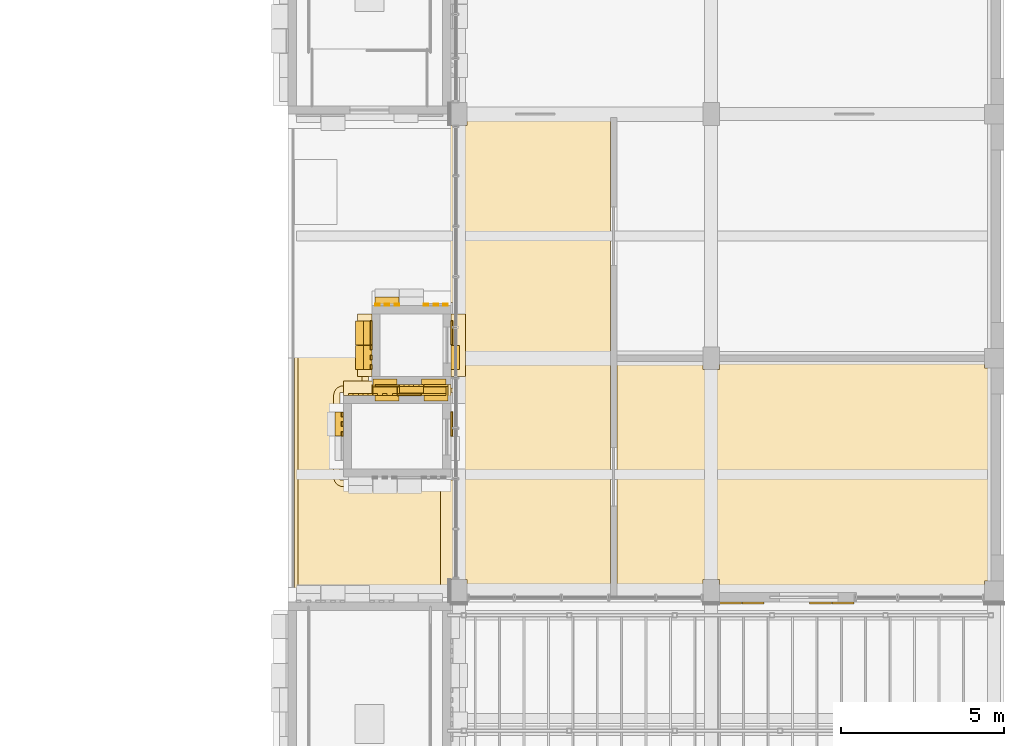
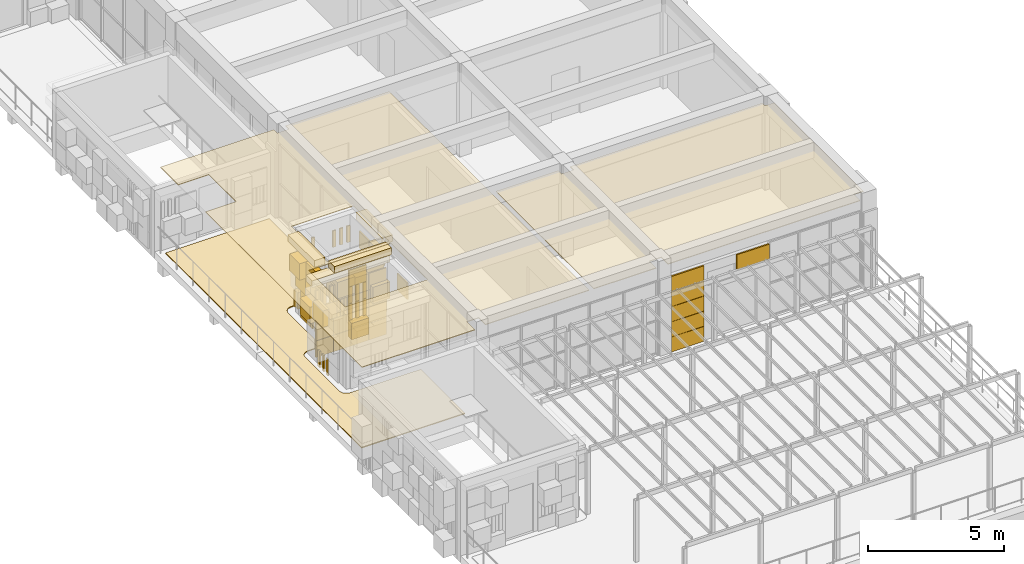
# One storey, part 22 of 26: 33 coverings.
"""IFC4 building model written with IfcOpenShell, lengths in metres."""

from ifc_helpers import new_model, si_unit, direction, frame, origin, origin_2d, place, context, subcontext, project, spatial, polyline, rectangle, outline, extrude, material, layer, layer_set, type_object, element, save


model = new_model("IFC4")

# Units and contexts
model_context = context("Model", 3, precision=1e-05, world=origin(), true_north=direction((0.0, 1.0)))
body_context = subcontext(model_context, "Body", "Model", "MODEL_VIEW")
ifc_project = project(units=[si_unit("LENGTHUNIT", "METRE"), si_unit("AREAUNIT", "SQUARE_METRE"), si_unit("VOLUMEUNIT", "CUBIC_METRE"), si_unit("PLANEANGLEUNIT", "RADIAN"), si_unit("MASSUNIT", "GRAM", prefix="KILO")], contexts=[model_context])

# Site, building, storey
site_placement = place(None, origin())
site = spatial("IfcSite", under=ifc_project, at=site_placement, CompositionType="ELEMENT")
building_placement = place(site_placement, origin())
building = spatial("IfcBuilding", under=site, at=building_placement, Name="Sun Court Science Centre", CompositionType="ELEMENT")
storey_placement = place(building_placement, frame((0.0, 0.0, 29.25)))
storey = spatial("IfcBuildingStorey", under=building, at=storey_placement, Name="L06", CompositionType="ELEMENT", Elevation=29.25)

# Coverings
ifc_material_1 = material(Name="Gypsum board")
ifc_layer_1 = layer(ifc_material_1, 0.030029296875)
ifc_layer_set_1 = layer_set([ifc_layer_1], Name="Gypsum board")
covering_type_1 = type_object("IfcCoveringType", Name="Ceiling suspended 600 module", PredefinedType="CEILING", material=ifc_layer_set_1)
covering_1_placement = place(storey_placement, frame((0.0, 0.0, 3.77001953125)))
element("IfcCovering", 1, at=covering_1_placement, inside=storey, type_object=covering_type_1, Name="L06-006 ceiling", PredefinedType="CEILING", context=body_context, shape_type="SweptSolid", body=[
    extrude(outline(polyline([(82.199951171875, 55.10009765625), (83.5, 55.10009765625), (83.5, 57.10009765625), (82.199951171875, 57.10009765625), (82.199951171875, 58.39990234375), (87.0, 58.39990234375), (87.0, 58.14990234375), (87.5, 58.14990234375), (87.5, 58.39990234375), (91.89990234375, 58.39990234375), (91.89990234375, 43.699951171875), (87.5, 43.699951171875), (87.5, 44.199951171875), (87.0, 44.199951171875), (87.0, 43.60009765625), (82.199951171875, 43.60009765625), (82.199951171875, 55.10009765625)]), holes=[polyline([(87.1025390625, 50.08740234375), (87.1025390625, 52.71240234375), (84.4775390625, 52.71240234375), (84.4775390625, 50.08740234375), (87.1025390625, 50.08740234375)]), polyline([(83.60009765625, 47.25), (87.10009765625, 47.25), (87.10009765625, 49.949951171875), (83.60009765625, 49.949951171875), (83.60009765625, 47.25)])]), origin(), (0.0, 0.0, 1.0), 0.030029296875),
])
covering_2_placement = place(storey_placement, frame((0.0, 0.0, 3.77001953125)))
element("IfcCovering", 2, at=covering_2_placement, inside=storey, type_object=covering_type_1, Name="L06-007 ceiling", PredefinedType="CEILING", context=body_context, shape_type="SweptSolid", body=[
    extrude(outline(polyline([(103.39990234375, 43.699951171875), (95.25, 43.699951171875), (95.25, 44.199951171875), (94.75, 44.199951171875), (94.75, 43.699951171875), (92.10009765625, 43.699951171875), (92.10009765625, 50.89990234375), (94.75, 50.89990234375), (94.75, 50.64990234375), (95.25, 50.64990234375), (95.25, 50.89990234375), (103.39990234375, 50.89990234375), (103.39990234375, 50.699951171875), (103.800048828125, 50.699951171875), (103.800048828125, 44.14990234375), (103.39990234375, 44.14990234375), (103.39990234375, 43.699951171875)])), origin(), (0.0, 0.0, 1.0), 0.030029296875),
])
ifc_material_2 = material(Name="Red sandstone", Category="masonry")
ifc_layer_2 = layer(ifc_material_2, 0.06005859375)
ifc_layer_set_2 = layer_set([ifc_layer_2], Name="Red sandstone")
covering_type_2 = type_object("IfcCoveringType", Name="Red sandstone wall cladding 750", PredefinedType="CLADDING", material=ifc_layer_set_2)
covering_3_placement = place(storey_placement, frame((0.0, 0.0, -29.25)))
element("IfcCovering", 3, at=covering_3_placement, inside=storey, type_object=covering_type_2, Name="Red sandstone wall cladding observatory south face L06", PredefinedType="CLADDING", context=body_context, shape_type="SweptSolid", body=[
    extrude(rectangle(XDim=0.681640625, YDim=0.06005859375, at=origin_2d()), frame((96.28759765625, 43.469970703125, 29.255126953125), z_axis=(0.0, 0.0, 1.0), x_axis=(-1.0, 0.0, 0.0)), (0.0, 0.0, 1.0), 0.669921875),
    extrude(rectangle(XDim=0.681640625, YDim=0.06005859375, at=origin_2d()), frame((95.595947265625, 43.469970703125, 29.255126953125), z_axis=(0.0, 0.0, 1.0), x_axis=(-1.0, 0.0, 0.0)), (0.0, 0.0, 1.0), 0.669921875),
    extrude(rectangle(XDim=0.681640625, YDim=0.06005859375, at=origin_2d()), frame((96.28759765625, 43.469970703125, 29.93505859375), z_axis=(0.0, 0.0, 1.0), x_axis=(-1.0, 0.0, 0.0)), (0.0, 0.0, 1.0), 0.669921875),
    extrude(rectangle(XDim=0.681640625, YDim=0.06005859375, at=origin_2d()), frame((95.595947265625, 43.469970703125, 29.93505859375), z_axis=(0.0, 0.0, 1.0), x_axis=(-1.0, 0.0, 0.0)), (0.0, 0.0, 1.0), 0.669921875),
    extrude(rectangle(XDim=0.681640625, YDim=0.06005859375, at=origin_2d()), frame((96.28759765625, 43.469970703125, 30.614990234375), z_axis=(0.0, 0.0, 1.0), x_axis=(-1.0, 0.0, 0.0)), (0.0, 0.0, 1.0), 0.669921875),
    extrude(rectangle(XDim=0.681640625, YDim=0.06005859375, at=origin_2d()), frame((95.595947265625, 43.469970703125, 30.614990234375), z_axis=(0.0, 0.0, 1.0), x_axis=(-1.0, 0.0, 0.0)), (0.0, 0.0, 1.0), 0.669921875),
    extrude(rectangle(XDim=0.681640625, YDim=0.06005859375, at=origin_2d()), frame((96.28759765625, 43.469970703125, 31.294921875), z_axis=(0.0, 0.0, 1.0), x_axis=(-1.0, 0.0, 0.0)), (0.0, 0.0, 1.0), 0.669921875),
    extrude(rectangle(XDim=0.681640625, YDim=0.06005859375, at=origin_2d()), frame((95.595947265625, 43.469970703125, 31.294921875), z_axis=(0.0, 0.0, 1.0), x_axis=(-1.0, 0.0, 0.0)), (0.0, 0.0, 1.0), 0.669921875),
    extrude(rectangle(XDim=0.681640625, YDim=0.06005859375, at=origin_2d()), frame((99.05419921875, 43.469970703125, 31.97509765625), z_axis=(0.0, 0.0, 1.0), x_axis=(-1.0, 0.0, 0.0)), (0.0, 0.0, 1.0), 0.669921875),
    extrude(rectangle(XDim=0.681640625, YDim=0.06005859375, at=origin_2d()), frame((98.362548828125, 43.469970703125, 31.97509765625), z_axis=(0.0, 0.0, 1.0), x_axis=(-1.0, 0.0, 0.0)), (0.0, 0.0, 1.0), 0.669921875),
    extrude(rectangle(XDim=0.681640625, YDim=0.06005859375, at=origin_2d()), frame((96.28759765625, 43.469970703125, 31.97509765625), z_axis=(0.0, 0.0, 1.0), x_axis=(-1.0, 0.0, 0.0)), (0.0, 0.0, 1.0), 0.669921875),
    extrude(rectangle(XDim=0.681640625, YDim=0.06005859375, at=origin_2d()), frame((95.595947265625, 43.469970703125, 31.97509765625), z_axis=(0.0, 0.0, 1.0), x_axis=(-1.0, 0.0, 0.0)), (0.0, 0.0, 1.0), 0.669921875),
])
ifc_material_3 = material(Name="Sandstone paving", Category="masonry")
ifc_layer_3 = layer(ifc_material_3, 0.0400390625)
ifc_layer_set_3 = layer_set([ifc_layer_3], Name="Sandstone paving")
covering_type_3 = type_object("IfcCoveringType", Name="Terrace paving 40", PredefinedType="FLOORING", material=ifc_layer_set_3)
covering_4_placement = place(storey_placement, origin())
element("IfcCovering", 4, at=covering_4_placement, inside=storey, type_object=covering_type_3, Name="Observatory terrace paving", PredefinedType="FLOORING", context=body_context, shape_type="SweptSolid", body=[
    extrude(outline(polyline([(82.300048828125, 58.199951171875), (86.68994140625, 58.199951171875), (86.68994140625, 52.91259765625), (84.577392578125, 52.91259765625), (84.548095703125, 52.9111328125), (84.51904296875, 52.90673828125), (84.490478515625, 52.899658203125), (84.462646484375, 52.8896484375), (84.43603515625, 52.877197265625), (84.410888671875, 52.862060546875), (84.38720703125, 52.844482421875), (84.365478515625, 52.82470703125), (84.345703125, 52.802734375), (84.328125, 52.779052734375), (84.31298828125, 52.75390625), (84.30029296875, 52.727294921875), (84.29052734375, 52.69970703125), (84.283203125, 52.671142578125), (84.279052734375, 52.641845703125), (84.277587890625, 52.612548828125), (84.277587890625, 50.1875), (84.279052734375, 50.158203125), (84.280029296875, 50.14990234375), (83.699951171875, 50.14990234375), (83.670654296875, 50.1484375), (83.641357421875, 50.144287109375), (83.61279296875, 50.136962890625), (83.585205078125, 50.127197265625), (83.55859375, 50.114501953125), (83.533447265625, 50.099365234375), (83.509765625, 50.081787109375), (83.48779296875, 50.06201171875), (83.468017578125, 50.040283203125), (83.450439453125, 50.0166015625), (83.435302734375, 49.991455078125), (83.4228515625, 49.96484375), (83.412841796875, 49.93701171875), (83.40576171875, 49.908447265625), (83.4013671875, 49.87939453125), (83.39990234375, 49.85009765625), (83.39990234375, 47.35009765625), (83.4013671875, 47.320556640625), (83.40576171875, 47.29150390625), (83.412841796875, 47.262939453125), (83.4228515625, 47.235107421875), (83.435302734375, 47.20849609375), (83.450439453125, 47.183349609375), (83.468017578125, 47.15966796875), (83.48779296875, 47.137939453125), (83.509765625, 47.1181640625), (83.533447265625, 47.1005859375), (83.55859375, 47.08544921875), (83.585205078125, 47.07275390625), (83.61279296875, 47.06298828125), (83.641357421875, 47.0556640625), (83.670654296875, 47.051513671875), (83.699951171875, 47.050048828125), (86.68994140625, 47.050048828125), (86.68994140625, 43.800048828125), (82.300048828125, 43.800048828125), (82.300048828125, 58.199951171875)])), origin(), (0.0, 0.0, 1.0), 0.0400390625),
])
ifc_material_4 = material(Name="Terracotta panel", Category="masonry")
ifc_layer_4 = layer(ifc_material_4, 0.449951171875)
ifc_layer_set_4 = layer_set([ifc_layer_4], Name="Terracotta panel")
covering_type_4 = type_object("IfcCoveringType", Name="Terracotta cornice 450", PredefinedType="CLADDING", material=ifc_layer_set_4)
covering_5_placement = place(storey_placement, frame((0.0, 0.0, -29.25)))
element("IfcCovering", 5, at=covering_5_placement, inside=storey, type_object=covering_type_4, Name="Terracotta cornice north face of core L06", PredefinedType="CLADDING", context=body_context, shape_type="SweptSolid", body=[
    extrude(rectangle(XDim=3.300048828125, YDim=0.449951171875, at=origin_2d()), frame((85.35009765625, 50.074951171875, 32.2998046875), z_axis=(0.0, 0.0, 1.0), x_axis=(1.0, 0.0, 0.0)), (0.0, 0.0, 1.0), 0.300048828125),
])
covering_6_placement = place(storey_placement, frame((0.0, 0.0, -29.25)))
element("IfcCovering", 6, at=covering_6_placement, inside=storey, type_object=covering_type_4, Name="Terracotta cornice east face of core L06", PredefinedType="CLADDING", context=body_context, shape_type="SweptSolid", body=[
    extrude(rectangle(XDim=1.925048828125, YDim=0.449951171875, at=origin_2d()), frame((87.2275390625, 51.39990234375, 32.7001953125), z_axis=(0.0, 0.0, 1.0), x_axis=(0.0, -1.0, 0.0)), (0.0, 0.0, 1.0), 0.300048828125),
])
covering_7_placement = place(storey_placement, frame((0.0, 0.0, -29.25)))
element("IfcCovering", 7, at=covering_7_placement, inside=storey, type_object=covering_type_4, Name="Terracotta cornice south face of core L06", PredefinedType="CLADDING", context=body_context, shape_type="SweptSolid", body=[
    extrude(rectangle(XDim=2.425048828125, YDim=0.449951171875, at=origin_2d()), frame((85.7900390625, 49.96240234375, 32.7001953125), z_axis=(0.0, 0.0, 1.0), x_axis=(-1.0, 0.0, 0.0)), (0.0, 0.0, 1.0), 0.300048828125),
])
covering_8_placement = place(storey_placement, frame((0.0, 0.0, -29.25)))
element("IfcCovering", 8, at=covering_8_placement, inside=storey, type_object=covering_type_4, Name="Terracotta cornice west face of core L06", PredefinedType="CLADDING", context=body_context, shape_type="SweptSolid", body=[
    extrude(rectangle(XDim=1.925048828125, YDim=0.449951171875, at=origin_2d()), frame((84.3525390625, 51.39990234375, 32.7001953125), z_axis=(0.0, 0.0, 1.0), x_axis=(0.0, 1.0, 0.0)), (0.0, 0.0, 1.0), 0.300048828125),
])
ifc_material_5 = material(Name="Terracotta jali", Category="masonry")
ifc_layer_5 = layer(ifc_material_5, 0.06005859375)
ifc_layer_set_5 = layer_set([ifc_layer_5], Name="Terracotta jali")
covering_type_5 = type_object("IfcCoveringType", Name="Terracotta open jali panel", PredefinedType="CLADDING", material=ifc_layer_set_5)
covering_9_placement = place(storey_placement, frame((0.0, 0.0, -29.25)))
element("IfcCovering", 9, at=covering_9_placement, inside=storey, type_object=covering_type_5, Name="Open jali pixel cladding north face of core L06", PredefinedType="CLADDING", context=body_context, shape_type="SweptSolid", body=[
    extrude(rectangle(XDim=0.139892578125, YDim=0.06005859375, at=origin_2d()), frame((84.675048828125, 49.8798828125, 30.60498046875), z_axis=(0.0, 0.0, 1.0), x_axis=(1.0, 0.0, 0.0)), (0.0, 0.0, 1.0), 0.739990234375),
    extrude(rectangle(XDim=0.139892578125, YDim=0.06005859375, at=origin_2d()), frame((84.97509765625, 49.8798828125, 30.60498046875), z_axis=(0.0, 0.0, 1.0), x_axis=(1.0, 0.0, 0.0)), (0.0, 0.0, 1.0), 0.739990234375),
    extrude(rectangle(XDim=0.139892578125, YDim=0.06005859375, at=origin_2d()), frame((85.27490234375, 49.8798828125, 30.60498046875), z_axis=(0.0, 0.0, 1.0), x_axis=(1.0, 0.0, 0.0)), (0.0, 0.0, 1.0), 0.739990234375),
    extrude(rectangle(XDim=0.139892578125, YDim=0.06005859375, at=origin_2d()), frame((83.925048828125, 49.8798828125, 31.35498046875), z_axis=(0.0, 0.0, 1.0), x_axis=(1.0, 0.0, 0.0)), (0.0, 0.0, 1.0), 0.739990234375),
    extrude(rectangle(XDim=0.139892578125, YDim=0.06005859375, at=origin_2d()), frame((84.22509765625, 49.8798828125, 31.35498046875), z_axis=(0.0, 0.0, 1.0), x_axis=(1.0, 0.0, 0.0)), (0.0, 0.0, 1.0), 0.739990234375),
    extrude(rectangle(XDim=0.139892578125, YDim=0.06005859375, at=origin_2d()), frame((84.52490234375, 49.8798828125, 31.35498046875), z_axis=(0.0, 0.0, 1.0), x_axis=(1.0, 0.0, 0.0)), (0.0, 0.0, 1.0), 0.739990234375),
    extrude(rectangle(XDim=0.739990234375, YDim=0.06005859375, at=origin_2d()), frame((84.22509765625, 49.8798828125, 30.60498046875), z_axis=(0.0, 0.0, 1.0), x_axis=(1.0, 0.0, 0.0)), (0.0, 0.0, 1.0), 0.739990234375),
])
covering_10_placement = place(storey_placement, frame((0.0, 0.0, -29.25)))
element("IfcCovering", 10, at=covering_10_placement, inside=storey, type_object=covering_type_5, Name="Open jali pixel cladding west face of core L06", PredefinedType="CLADDING", context=body_context, shape_type="SweptSolid", body=[
    extrude(rectangle(XDim=0.139892578125, YDim=0.06005859375, at=origin_2d()), frame((83.669921875, 48.675048828125, 29.10498046875), z_axis=(0.0, 0.0, 1.0), x_axis=(0.0, 1.0, 0.0)), (0.0, 0.0, 1.0), 0.739990234375),
    extrude(rectangle(XDim=0.139892578125, YDim=0.06005859375, at=origin_2d()), frame((83.669921875, 48.97509765625, 29.10498046875), z_axis=(0.0, 0.0, 1.0), x_axis=(0.0, 1.0, 0.0)), (0.0, 0.0, 1.0), 0.739990234375),
    extrude(rectangle(XDim=0.139892578125, YDim=0.06005859375, at=origin_2d()), frame((83.669921875, 49.27490234375, 29.10498046875), z_axis=(0.0, 0.0, 1.0), x_axis=(0.0, 1.0, 0.0)), (0.0, 0.0, 1.0), 0.739990234375),
])
covering_11_placement = place(storey_placement, frame((0.0, 0.0, -29.25)))
element("IfcCovering", 11, at=covering_11_placement, inside=storey, type_object=covering_type_5, Name="Open jali pixel cladding north face of core L06", PredefinedType="CLADDING", context=body_context, shape_type="SweptSolid", body=[
    extrude(rectangle(XDim=0.139892578125, YDim=0.06005859375, at=origin_2d()), frame((84.739990234375, 52.642578125, 31.55517578125), z_axis=(0.0, 0.0, 1.0), x_axis=(1.0, 0.0, 0.0)), (0.0, 0.0, 1.0), 0.739990234375),
    extrude(rectangle(XDim=0.139892578125, YDim=0.06005859375, at=origin_2d()), frame((85.0400390625, 52.642578125, 31.55517578125), z_axis=(0.0, 0.0, 1.0), x_axis=(1.0, 0.0, 0.0)), (0.0, 0.0, 1.0), 0.739990234375),
    extrude(rectangle(XDim=0.139892578125, YDim=0.06005859375, at=origin_2d()), frame((85.340087890625, 52.642578125, 31.55517578125), z_axis=(0.0, 0.0, 1.0), x_axis=(1.0, 0.0, 0.0)), (0.0, 0.0, 1.0), 0.739990234375),
    extrude(rectangle(XDim=0.139892578125, YDim=0.06005859375, at=origin_2d()), frame((86.239990234375, 52.642578125, 31.55517578125), z_axis=(0.0, 0.0, 1.0), x_axis=(1.0, 0.0, 0.0)), (0.0, 0.0, 1.0), 0.739990234375),
    extrude(rectangle(XDim=0.139892578125, YDim=0.06005859375, at=origin_2d()), frame((86.5400390625, 52.642578125, 31.55517578125), z_axis=(0.0, 0.0, 1.0), x_axis=(1.0, 0.0, 0.0)), (0.0, 0.0, 1.0), 0.739990234375),
    extrude(rectangle(XDim=0.139892578125, YDim=0.06005859375, at=origin_2d()), frame((86.840087890625, 52.642578125, 31.55517578125), z_axis=(0.0, 0.0, 1.0), x_axis=(1.0, 0.0, 0.0)), (0.0, 0.0, 1.0), 0.739990234375),
])
covering_12_placement = place(storey_placement, frame((0.0, 0.0, -29.25)))
element("IfcCovering", 12, at=covering_12_placement, inside=storey, type_object=covering_type_5, Name="Open jali pixel cladding south face of core L06", PredefinedType="CLADDING", context=body_context, shape_type="SweptSolid", body=[
    extrude(rectangle(XDim=0.139892578125, YDim=0.06005859375, at=origin_2d()), frame((86.090087890625, 50.157470703125, 30.05517578125), z_axis=(0.0, 0.0, 1.0), x_axis=(-1.0, 0.0, 0.0)), (0.0, 0.0, 1.0), 0.739990234375),
    extrude(rectangle(XDim=0.139892578125, YDim=0.06005859375, at=origin_2d()), frame((85.7900390625, 50.157470703125, 30.05517578125), z_axis=(0.0, 0.0, 1.0), x_axis=(-1.0, 0.0, 0.0)), (0.0, 0.0, 1.0), 0.739990234375),
    extrude(rectangle(XDim=0.139892578125, YDim=0.06005859375, at=origin_2d()), frame((85.489990234375, 50.157470703125, 30.05517578125), z_axis=(0.0, 0.0, 1.0), x_axis=(-1.0, 0.0, 0.0)), (0.0, 0.0, 1.0), 0.739990234375),
    extrude(rectangle(XDim=0.139892578125, YDim=0.06005859375, at=origin_2d()), frame((86.090087890625, 50.157470703125, 30.80517578125), z_axis=(0.0, 0.0, 1.0), x_axis=(-1.0, 0.0, 0.0)), (0.0, 0.0, 1.0), 0.739990234375),
    extrude(rectangle(XDim=0.139892578125, YDim=0.06005859375, at=origin_2d()), frame((85.7900390625, 50.157470703125, 30.80517578125), z_axis=(0.0, 0.0, 1.0), x_axis=(-1.0, 0.0, 0.0)), (0.0, 0.0, 1.0), 0.739990234375),
    extrude(rectangle(XDim=0.139892578125, YDim=0.06005859375, at=origin_2d()), frame((85.489990234375, 50.157470703125, 30.80517578125), z_axis=(0.0, 0.0, 1.0), x_axis=(-1.0, 0.0, 0.0)), (0.0, 0.0, 1.0), 0.739990234375),
])
covering_13_placement = place(storey_placement, frame((0.0, 0.0, -29.25)))
element("IfcCovering", 13, at=covering_13_placement, inside=storey, type_object=covering_type_5, Name="Open jali pixel cladding west face of core L06", PredefinedType="CLADDING", context=body_context, shape_type="SweptSolid", body=[
    extrude(rectangle(XDim=0.139892578125, YDim=0.06005859375, at=origin_2d()), frame((84.547607421875, 50.72509765625, 29.30517578125), z_axis=(0.0, 0.0, 1.0), x_axis=(0.0, 1.0, 0.0)), (0.0, 0.0, 1.0), 0.739990234375),
    extrude(rectangle(XDim=0.139892578125, YDim=0.06005859375, at=origin_2d()), frame((84.547607421875, 51.02490234375, 29.30517578125), z_axis=(0.0, 0.0, 1.0), x_axis=(0.0, 1.0, 0.0)), (0.0, 0.0, 1.0), 0.739990234375),
    extrude(rectangle(XDim=0.139892578125, YDim=0.06005859375, at=origin_2d()), frame((84.547607421875, 51.324951171875, 29.30517578125), z_axis=(0.0, 0.0, 1.0), x_axis=(0.0, 1.0, 0.0)), (0.0, 0.0, 1.0), 0.739990234375),
])
ifc_material_6 = material(Name="Terracotta shade 1", Category="masonry")
ifc_layer_6 = layer(ifc_material_6, 0.06005859375)
ifc_layer_set_6 = layer_set([ifc_layer_6], Name="Terracotta shade 1")
covering_type_6 = type_object("IfcCoveringType", Name="Terracotta pixel panel shade 1", PredefinedType="CLADDING", material=ifc_layer_set_6)
covering_14_placement = place(storey_placement, frame((0.0, 0.0, -29.25)))
element("IfcCovering", 14, at=covering_14_placement, inside=storey, type_object=covering_type_6, Name="Terracotta pixel cladding shade 1 east face of core L06", PredefinedType="CLADDING", context=body_context, shape_type="SweptSolid", body=[
    extrude(rectangle(XDim=0.739990234375, YDim=0.06005859375, at=origin_2d()), frame((87.030029296875, 48.97509765625, 31.35498046875), z_axis=(0.0, 0.0, 1.0), x_axis=(0.0, -1.0, 0.0)), (0.0, 0.0, 1.0), 0.739990234375),
])
covering_15_placement = place(storey_placement, frame((0.0, 0.0, -29.25)))
element("IfcCovering", 15, at=covering_15_placement, inside=storey, type_object=covering_type_6, Name="Terracotta pixel cladding shade 1 north face of core L06", PredefinedType="CLADDING", context=body_context, shape_type="SweptSolid", body=[
    extrude(rectangle(XDim=0.739990234375, YDim=0.06005859375, at=origin_2d()), frame((84.22509765625, 49.8798828125, 29.85498046875), z_axis=(0.0, 0.0, 1.0), x_axis=(1.0, 0.0, 0.0)), (0.0, 0.0, 1.0), 0.739990234375),
    extrude(rectangle(XDim=0.739990234375, YDim=0.06005859375, at=origin_2d()), frame((85.72509765625, 49.8798828125, 29.85498046875), z_axis=(0.0, 0.0, 1.0), x_axis=(1.0, 0.0, 0.0)), (0.0, 0.0, 1.0), 0.739990234375),
    extrude(rectangle(XDim=0.739990234375, YDim=0.260009765625, at=origin_2d()), frame((86.47509765625, 49.97998046875, 30.60498046875), z_axis=(0.0, 0.0, 1.0), x_axis=(1.0, 0.0, 0.0)), (0.0, 0.0, 1.0), 0.739990234375),
    extrude(rectangle(XDim=0.739990234375, YDim=0.260009765625, at=origin_2d()), frame((85.72509765625, 49.97998046875, 31.35498046875), z_axis=(0.0, 0.0, 1.0), x_axis=(1.0, 0.0, 0.0)), (0.0, 0.0, 1.0), 0.739990234375),
    extrude(rectangle(XDim=0.739990234375, YDim=0.06005859375, at=origin_2d()), frame((86.47509765625, 49.8798828125, 31.35498046875), z_axis=(0.0, 0.0, 1.0), x_axis=(1.0, 0.0, 0.0)), (0.0, 0.0, 1.0), 0.739990234375),
])
covering_16_placement = place(storey_placement, frame((0.0, 0.0, -29.25)))
element("IfcCovering", 16, at=covering_16_placement, inside=storey, type_object=covering_type_6, Name="Terracotta pixel cladding shade 1 east face of core L06", PredefinedType="CLADDING", context=body_context, shape_type="SweptSolid", body=[
    extrude(rectangle(XDim=0.739990234375, YDim=0.06005859375, at=origin_2d()), frame((87.032470703125, 51.77490234375, 31.55517578125), z_axis=(0.0, 0.0, 1.0), x_axis=(0.0, -1.0, 0.0)), (0.0, 0.0, 1.0), 0.739990234375),
])
covering_17_placement = place(storey_placement, frame((0.0, 0.0, -29.25)))
element("IfcCovering", 17, at=covering_17_placement, inside=storey, type_object=covering_type_6, Name="Terracotta pixel cladding shade 1 south face of core L06", PredefinedType="CLADDING", context=body_context, shape_type="SweptSolid", body=[
    extrude(rectangle(XDim=0.739990234375, YDim=0.260009765625, at=origin_2d()), frame((85.0400390625, 50.0576171875, 29.30517578125), z_axis=(0.0, 0.0, 1.0), x_axis=(-1.0, 0.0, 0.0)), (0.0, 0.0, 1.0), 0.739990234375),
    extrude(rectangle(XDim=0.739990234375, YDim=0.260009765625, at=origin_2d()), frame((85.0400390625, 50.0576171875, 30.80517578125), z_axis=(0.0, 0.0, 1.0), x_axis=(-1.0, 0.0, 0.0)), (0.0, 0.0, 1.0), 0.739990234375),
    extrude(rectangle(XDim=0.739990234375, YDim=0.510009765625, at=origin_2d()), frame((85.0400390625, 49.9326171875, 31.55517578125), z_axis=(0.0, 0.0, 1.0), x_axis=(-1.0, 0.0, 0.0)), (0.0, 0.0, 1.0), 0.739990234375),
])
covering_18_placement = place(storey_placement, frame((0.0, 0.0, -29.25)))
element("IfcCovering", 18, at=covering_18_placement, inside=storey, type_object=covering_type_6, Name="Terracotta pixel cladding shade 1 west face of core L06", PredefinedType="CLADDING", context=body_context, shape_type="SweptSolid", body=[
    extrude(rectangle(XDim=0.739990234375, YDim=0.06005859375, at=origin_2d()), frame((84.547607421875, 51.02490234375, 30.80517578125), z_axis=(0.0, 0.0, 1.0), x_axis=(0.0, 1.0, 0.0)), (0.0, 0.0, 1.0), 0.739990234375),
    extrude(rectangle(XDim=0.739990234375, YDim=0.260009765625, at=origin_2d()), frame((84.447509765625, 51.77490234375, 30.80517578125), z_axis=(0.0, 0.0, 1.0), x_axis=(0.0, 1.0, 0.0)), (0.0, 0.0, 1.0), 0.739990234375),
])
ifc_material_7 = material(Name="Terracotta shade 2", Category="masonry")
ifc_layer_7 = layer(ifc_material_7, 0.06005859375)
ifc_layer_set_7 = layer_set([ifc_layer_7], Name="Terracotta shade 2")
covering_type_7 = type_object("IfcCoveringType", Name="Terracotta pixel panel shade 2", PredefinedType="CLADDING", material=ifc_layer_set_7)
covering_19_placement = place(storey_placement, frame((0.0, 0.0, -29.25)))
element("IfcCovering", 19, at=covering_19_placement, inside=storey, type_object=covering_type_7, Name="Terracotta pixel cladding shade 2 north face of core L06", PredefinedType="CLADDING", context=body_context, shape_type="SweptSolid", body=[
    extrude(rectangle(XDim=0.739990234375, YDim=0.06005859375, at=origin_2d()), frame((84.22509765625, 49.8798828125, 29.10498046875), z_axis=(0.0, 0.0, 1.0), x_axis=(1.0, 0.0, 0.0)), (0.0, 0.0, 1.0), 0.739990234375),
    extrude(rectangle(XDim=0.739990234375, YDim=0.06005859375, at=origin_2d()), frame((85.72509765625, 49.8798828125, 29.10498046875), z_axis=(0.0, 0.0, 1.0), x_axis=(1.0, 0.0, 0.0)), (0.0, 0.0, 1.0), 0.739990234375),
    extrude(rectangle(XDim=0.739990234375, YDim=0.510009765625, at=origin_2d()), frame((84.97509765625, 50.10498046875, 31.35498046875), z_axis=(0.0, 0.0, 1.0), x_axis=(1.0, 0.0, 0.0)), (0.0, 0.0, 1.0), 0.739990234375),
])
covering_20_placement = place(storey_placement, frame((0.0, 0.0, -29.25)))
element("IfcCovering", 20, at=covering_20_placement, inside=storey, type_object=covering_type_7, Name="Terracotta pixel cladding shade 2 south face of core L06", PredefinedType="CLADDING", context=body_context, shape_type="SweptSolid", body=[
    extrude(rectangle(XDim=0.739990234375, YDim=0.260009765625, at=origin_2d()), frame((86.5400390625, 50.0576171875, 30.05517578125), z_axis=(0.0, 0.0, 1.0), x_axis=(-1.0, 0.0, 0.0)), (0.0, 0.0, 1.0), 0.739990234375),
    extrude(rectangle(XDim=0.739990234375, YDim=0.510009765625, at=origin_2d()), frame((86.5400390625, 49.9326171875, 30.80517578125), z_axis=(0.0, 0.0, 1.0), x_axis=(-1.0, 0.0, 0.0)), (0.0, 0.0, 1.0), 0.739990234375),
])
covering_21_placement = place(storey_placement, frame((0.0, 0.0, -29.25)))
element("IfcCovering", 21, at=covering_21_placement, inside=storey, type_object=covering_type_7, Name="Terracotta pixel cladding shade 2 west face of core L06", PredefinedType="CLADDING", context=body_context, shape_type="SweptSolid", body=[
    extrude(rectangle(XDim=0.739990234375, YDim=0.06005859375, at=origin_2d()), frame((84.547607421875, 51.77490234375, 30.05517578125), z_axis=(0.0, 0.0, 1.0), x_axis=(0.0, 1.0, 0.0)), (0.0, 0.0, 1.0), 0.739990234375),
    extrude(rectangle(XDim=0.739990234375, YDim=0.260009765625, at=origin_2d()), frame((84.447509765625, 51.02490234375, 31.55517578125), z_axis=(0.0, 0.0, 1.0), x_axis=(0.0, 1.0, 0.0)), (0.0, 0.0, 1.0), 0.739990234375),
])
ifc_material_8 = material(Name="Terracotta shade 3", Category="masonry")
ifc_layer_8 = layer(ifc_material_8, 0.06005859375)
ifc_layer_set_8 = layer_set([ifc_layer_8], Name="Terracotta shade 3")
covering_type_8 = type_object("IfcCoveringType", Name="Terracotta pixel panel shade 3", PredefinedType="CLADDING", material=ifc_layer_set_8)
covering_22_placement = place(storey_placement, frame((0.0, 0.0, -29.25)))
element("IfcCovering", 22, at=covering_22_placement, inside=storey, type_object=covering_type_8, Name="Terracotta pixel cladding shade 3 north face of core L06", PredefinedType="CLADDING", context=body_context, shape_type="SweptSolid", body=[
    extrude(rectangle(XDim=0.739990234375, YDim=0.06005859375, at=origin_2d()), frame((84.97509765625, 49.8798828125, 29.10498046875), z_axis=(0.0, 0.0, 1.0), x_axis=(1.0, 0.0, 0.0)), (0.0, 0.0, 1.0), 0.739990234375),
    extrude(rectangle(XDim=0.739990234375, YDim=0.260009765625, at=origin_2d()), frame((84.97509765625, 49.97998046875, 29.85498046875), z_axis=(0.0, 0.0, 1.0), x_axis=(1.0, 0.0, 0.0)), (0.0, 0.0, 1.0), 0.739990234375),
])
covering_23_placement = place(storey_placement, frame((0.0, 0.0, -29.25)))
element("IfcCovering", 23, at=covering_23_placement, inside=storey, type_object=covering_type_8, Name="Terracotta pixel cladding shade 3 south face of core L06", PredefinedType="CLADDING", context=body_context, shape_type="SweptSolid", body=[
    extrude(rectangle(XDim=0.739990234375, YDim=0.260009765625, at=origin_2d()), frame((85.7900390625, 50.0576171875, 29.30517578125), z_axis=(0.0, 0.0, 1.0), x_axis=(-1.0, 0.0, 0.0)), (0.0, 0.0, 1.0), 0.739990234375),
    extrude(rectangle(XDim=0.739990234375, YDim=0.06005859375, at=origin_2d()), frame((85.7900390625, 50.157470703125, 31.55517578125), z_axis=(0.0, 0.0, 1.0), x_axis=(-1.0, 0.0, 0.0)), (0.0, 0.0, 1.0), 0.739990234375),
])
covering_24_placement = place(storey_placement, frame((0.0, 0.0, -29.25)))
element("IfcCovering", 24, at=covering_24_placement, inside=storey, type_object=covering_type_8, Name="Terracotta pixel cladding shade 3 west face of core L06", PredefinedType="CLADDING", context=body_context, shape_type="SweptSolid", body=[
    extrude(rectangle(XDim=0.739990234375, YDim=0.510009765625, at=origin_2d()), frame((84.322509765625, 51.77490234375, 31.55517578125), z_axis=(0.0, 0.0, 1.0), x_axis=(0.0, 1.0, 0.0)), (0.0, 0.0, 1.0), 0.739990234375),
])
ifc_material_9 = material(Name="Terracotta shade 4", Category="masonry")
ifc_layer_9 = layer(ifc_material_9, 0.06005859375)
ifc_layer_set_9 = layer_set([ifc_layer_9], Name="Terracotta shade 4")
covering_type_9 = type_object("IfcCoveringType", Name="Terracotta pixel panel shade 4", PredefinedType="CLADDING", material=ifc_layer_set_9)
covering_25_placement = place(storey_placement, frame((0.0, 0.0, -29.25)))
element("IfcCovering", 25, at=covering_25_placement, inside=storey, type_object=covering_type_9, Name="Terracotta pixel cladding shade 4 north face of core L06", PredefinedType="CLADDING", context=body_context, shape_type="SweptSolid", body=[
    extrude(rectangle(XDim=0.739990234375, YDim=0.06005859375, at=origin_2d()), frame((85.72509765625, 49.8798828125, 30.60498046875), z_axis=(0.0, 0.0, 1.0), x_axis=(1.0, 0.0, 0.0)), (0.0, 0.0, 1.0), 0.739990234375),
])
covering_26_placement = place(storey_placement, frame((0.0, 0.0, -29.25)))
element("IfcCovering", 26, at=covering_26_placement, inside=storey, type_object=covering_type_9, Name="Terracotta pixel cladding shade 4 west face of core L06", PredefinedType="CLADDING", context=body_context, shape_type="SweptSolid", body=[
    extrude(rectangle(XDim=0.739990234375, YDim=0.260009765625, at=origin_2d()), frame((83.570068359375, 48.97509765625, 31.35498046875), z_axis=(0.0, 0.0, 1.0), x_axis=(0.0, 1.0, 0.0)), (0.0, 0.0, 1.0), 0.739990234375),
])
covering_27_placement = place(storey_placement, frame((0.0, 0.0, -29.25)))
element("IfcCovering", 27, at=covering_27_placement, inside=storey, type_object=covering_type_9, Name="Terracotta pixel cladding shade 4 south face of core L06", PredefinedType="CLADDING", context=body_context, shape_type="SweptSolid", body=[
    extrude(rectangle(XDim=0.739990234375, YDim=0.06005859375, at=origin_2d()), frame((86.5400390625, 50.157470703125, 29.30517578125), z_axis=(0.0, 0.0, 1.0), x_axis=(-1.0, 0.0, 0.0)), (0.0, 0.0, 1.0), 0.739990234375),
    extrude(rectangle(XDim=0.739990234375, YDim=0.06005859375, at=origin_2d()), frame((86.5400390625, 50.157470703125, 31.55517578125), z_axis=(0.0, 0.0, 1.0), x_axis=(-1.0, 0.0, 0.0)), (0.0, 0.0, 1.0), 0.739990234375),
])
covering_28_placement = place(storey_placement, frame((0.0, 0.0, -29.25)))
element("IfcCovering", 28, at=covering_28_placement, inside=storey, type_object=covering_type_9, Name="Terracotta pixel cladding shade 4 west face of core L06", PredefinedType="CLADDING", context=body_context, shape_type="SweptSolid", body=[
    extrude(rectangle(XDim=0.739990234375, YDim=0.06005859375, at=origin_2d()), frame((84.547607421875, 51.77490234375, 29.30517578125), z_axis=(0.0, 0.0, 1.0), x_axis=(0.0, 1.0, 0.0)), (0.0, 0.0, 1.0), 0.739990234375),
])
ifc_material_10 = material(Name="Terracotta shade 5", Category="masonry")
ifc_layer_10 = layer(ifc_material_10, 0.06005859375)
ifc_layer_set_10 = layer_set([ifc_layer_10], Name="Terracotta shade 5")
covering_type_10 = type_object("IfcCoveringType", Name="Terracotta pixel panel shade 5", PredefinedType="CLADDING", material=ifc_layer_set_10)
covering_29_placement = place(storey_placement, frame((0.0, 0.0, -29.25)))
element("IfcCovering", 29, at=covering_29_placement, inside=storey, type_object=covering_type_10, Name="Terracotta pixel cladding shade 5 north face of core L06", PredefinedType="CLADDING", context=body_context, shape_type="SweptSolid", body=[
    extrude(rectangle(XDim=0.739990234375, YDim=0.510009765625, at=origin_2d()), frame((86.47509765625, 50.10498046875, 29.10498046875), z_axis=(0.0, 0.0, 1.0), x_axis=(1.0, 0.0, 0.0)), (0.0, 0.0, 1.0), 0.739990234375),
    extrude(rectangle(XDim=0.739990234375, YDim=0.260009765625, at=origin_2d()), frame((86.47509765625, 49.97998046875, 29.85498046875), z_axis=(0.0, 0.0, 1.0), x_axis=(1.0, 0.0, 0.0)), (0.0, 0.0, 1.0), 0.739990234375),
])
covering_30_placement = place(storey_placement, frame((0.0, 0.0, -29.25)))
element("IfcCovering", 30, at=covering_30_placement, inside=storey, type_object=covering_type_10, Name="Terracotta pixel cladding shade 5 east face of core L06", PredefinedType="CLADDING", context=body_context, shape_type="SweptSolid", body=[
    extrude(rectangle(XDim=0.739990234375, YDim=0.260009765625, at=origin_2d()), frame((87.132568359375, 51.02490234375, 31.55517578125), z_axis=(0.0, 0.0, 1.0), x_axis=(0.0, -1.0, 0.0)), (0.0, 0.0, 1.0), 0.739990234375),
])
covering_31_placement = place(storey_placement, frame((0.0, 0.0, -29.25)))
element("IfcCovering", 31, at=covering_31_placement, inside=storey, type_object=covering_type_10, Name="Terracotta pixel cladding shade 5 north face of core L06", PredefinedType="CLADDING", context=body_context, shape_type="SweptSolid", body=[
    extrude(rectangle(XDim=0.739990234375, YDim=0.260009765625, at=origin_2d()), frame((85.0400390625, 52.742431640625, 29.30517578125), z_axis=(0.0, 0.0, 1.0), x_axis=(1.0, 0.0, 0.0)), (0.0, 0.0, 1.0), 0.739990234375),
])
covering_32_placement = place(storey_placement, frame((0.0, 0.0, -29.25)))
element("IfcCovering", 32, at=covering_32_placement, inside=storey, type_object=covering_type_10, Name="Terracotta pixel cladding shade 5 south face of core L06", PredefinedType="CLADDING", context=body_context, shape_type="SweptSolid", body=[
    extrude(rectangle(XDim=0.739990234375, YDim=0.06005859375, at=origin_2d()), frame((85.0400390625, 50.157470703125, 30.05517578125), z_axis=(0.0, 0.0, 1.0), x_axis=(-1.0, 0.0, 0.0)), (0.0, 0.0, 1.0), 0.739990234375),
])
covering_33_placement = place(storey_placement, frame((0.0, 0.0, -29.25)))
element("IfcCovering", 33, at=covering_33_placement, inside=storey, type_object=covering_type_10, Name="Terracotta pixel cladding shade 5 west face of core L06", PredefinedType="CLADDING", context=body_context, shape_type="SweptSolid", body=[
    extrude(rectangle(XDim=0.739990234375, YDim=0.510009765625, at=origin_2d()), frame((84.322509765625, 51.02490234375, 30.05517578125), z_axis=(0.0, 0.0, 1.0), x_axis=(0.0, 1.0, 0.0)), (0.0, 0.0, 1.0), 0.739990234375),
])

save(model, "model.ifc")
